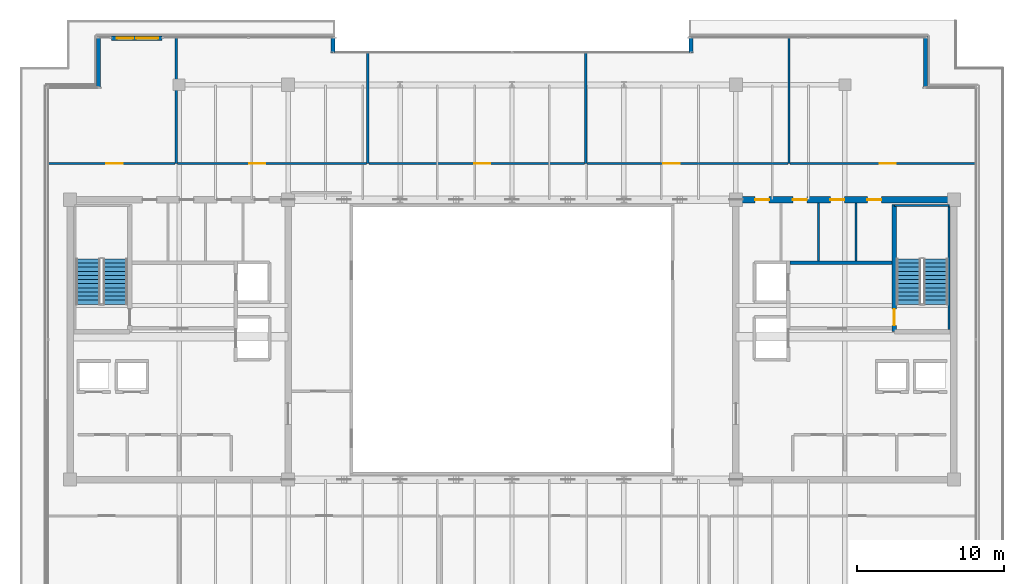
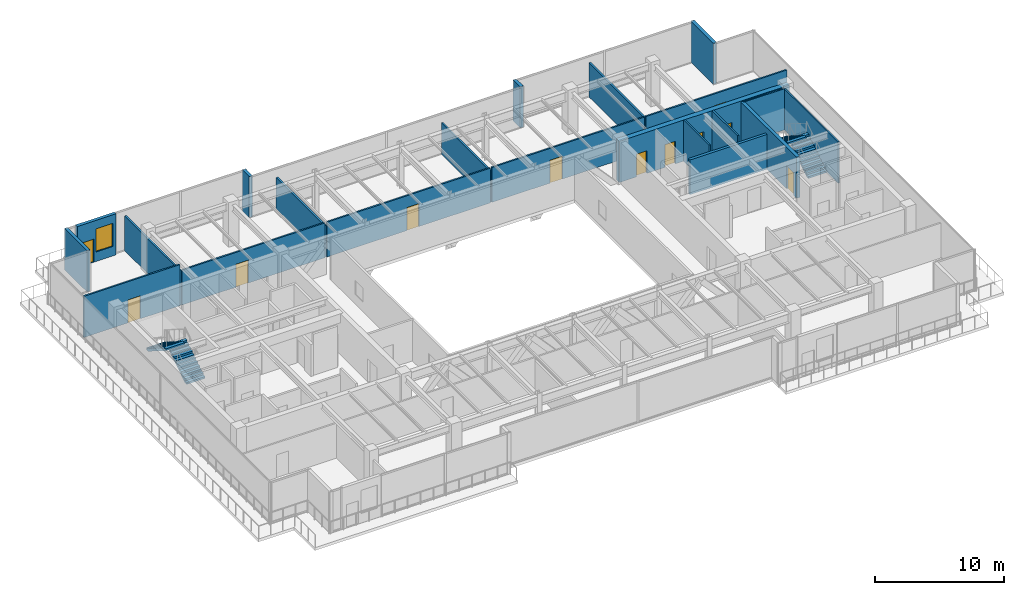
# One storey, part 29 of 34: 21 walls, 11 doors, 4 stair flights, 1 window, 12 openings, 2 elements without a shape of their own.
"""IFC4 building model written with IfcOpenShell, lengths in metres."""

from ifc_helpers import new_model, si_unit, direction, frame, frame_2d, origin, place, context, subcontext, project, spatial, polyline, rectangle, outline, extrude, source, transform, mapped, material, layer, layer_set, type_object, type_shapes, element, fill, aggregate, save


model = new_model("IFC4")

# Units and contexts
model_context = context("Model", 3, precision=1e-05, world=origin(), true_north=direction((0.0, 1.0)))
body_context = subcontext(model_context, "Body", "Model", "MODEL_VIEW")
ifc_project = project(units=[si_unit("LENGTHUNIT", "METRE"), si_unit("AREAUNIT", "SQUARE_METRE"), si_unit("VOLUMEUNIT", "CUBIC_METRE"), si_unit("PLANEANGLEUNIT", "RADIAN"), si_unit("MASSUNIT", "GRAM", prefix="KILO")], contexts=[model_context])

# Site, building, storey
site_placement = place(None, origin())
site = spatial("IfcSite", under=ifc_project, at=site_placement, CompositionType="ELEMENT")
building_placement = place(site_placement, origin())
building = spatial("IfcBuilding", under=site, at=building_placement, Name="Haelvirn Gate Laboratories", CompositionType="ELEMENT")
storey_placement = place(building_placement, frame((0.0, 0.0, 297.60009765625)))
storey = spatial("IfcBuildingStorey", under=building, at=storey_placement, Name="L71", CompositionType="ELEMENT", Elevation=297.60009765625)

# Wall, openings, door, window
ifc_material_1 = material(Name="Thermally-broken bronze aluminium rainscreen & mineral wool", Category="aluminium")
ifc_layer_1 = layer(ifc_material_1, 0.280029296875, Name="EW-TERR-280")
ifc_layer_set_1 = layer_set([ifc_layer_1], Name="Thermally-broken bronze aluminium rainscreen & mineral wool")
wall_type_1 = type_object("IfcWallType", Name="EW-TERR-280", PredefinedType="STANDARD", material=ifc_layer_set_1)
wall_1_placement = place(storey_placement, frame((10.197021484375, 44.760009765625, 0.0), z_axis=(0.0, 0.0, 1.0), x_axis=(1.0, 0.0, 0.0)))
wall_1 = element("IfcWall", 1, at=wall_1_placement, inside=storey, type_object=wall_type_1, Name="L71 Terrace Access Wall SETB-N", PredefinedType="STANDARD", context=body_context, shape_type="SweptSolid", body=[
    extrude(rectangle(XDim=3.4560546875, YDim=0.280029296875, at=frame_2d((1.72802734375, 0.0))), origin(), (0.0, 0.0, 1.0), 3.89990234375),
])
opening_1_placement = place(wall_1_placement, frame((0.3779296875, 0.0, 0.0)))
opening_1 = element("IfcOpeningElement", 2, at=opening_1_placement, cuts=wall_1, Name="Opening TD1", PredefinedType="OPENING", context=body_context, shape_type="SweptSolid", body=[
    extrude(rectangle(XDim=1.10009765625, YDim=2.199951171875, at=frame_2d((0.550048828125, 1.10009765625))), frame((0.0, 0.14990234375, 0.0), z_axis=(0.0, -1.0, 0.0), x_axis=(1.0, 0.0, 0.0)), (0.0, 0.0, 1.0), 0.300048828125),
])
opening_2_placement = place(wall_1_placement, frame((1.677978515625, 0.0, 0.89990234375)))
opening_2 = element("IfcOpeningElement", 3, at=opening_2_placement, cuts=wall_1, Name="Opening W3", PredefinedType="OPENING", context=body_context, shape_type="SweptSolid", body=[
    extrude(rectangle(XDim=1.5, YDim=2.199951171875, at=frame_2d((0.75, 1.10009765625))), frame((0.0, 0.14990234375, 0.0), z_axis=(0.0, -1.0, 0.0), x_axis=(1.0, 0.0, 0.0)), (0.0, 0.0, 1.0), 0.300048828125),
])
ifc_material_2 = material(Name="Thermally-broken bronze aluminium glazed terrace door", Category="aluminium")
door_type_1 = type_object("IfcDoorType", Name="DR-TERR-1100", OperationType="NOTDEFINED", PredefinedType="DOOR", material=ifc_material_2)
shared_shape_1 = source(origin(), body_context, "Body", "SweptSolid", [
    extrude(rectangle(XDim=1.10009765625, YDim=2.199951171875, at=frame_2d((0.550048828125, 1.10009765625))), frame((0.0, 0.02490234375, 0.0), z_axis=(0.0, -1.0, 0.0), x_axis=(1.0, 0.0, 0.0)), (0.0, 0.0, 1.0), 0.050048828125),
])
type_shapes(door_type_1, [shared_shape_1])
door_1_placement = place(opening_1_placement, origin())
door_1 = element("IfcDoor", 4, at=door_1_placement, inside=storey, type_object=door_type_1, Name="L71 Terrace Access Door SETB-N", OperationType="SINGLE_SWING_RIGHT", OverallHeight=2.199951171875, OverallWidth=1.10009765625, PredefinedType="DOOR", context=body_context, shape_type="MappedRepresentation", body=[
    mapped(shared_shape_1, transform((0.0, 0.0, 0.0), scale=1.0)),
])
fill(opening_1, door_1)
ifc_material_3 = material(Name="Bronze anodised aluminium & triple low-E glass", Category="aluminium")
window_type = type_object("IfcWindowType", Name="WIN-TERR-1600", PartitioningType="SINGLE_PANEL", PredefinedType="WINDOW", material=ifc_material_3)
shared_shape_2 = source(origin(), body_context, "Body", "SweptSolid", [
    extrude(rectangle(XDim=1.5, YDim=2.199951171875, at=frame_2d((0.75, 1.10009765625))), frame((0.0, 0.030029296875, 0.0), z_axis=(0.0, -1.0, 0.0), x_axis=(1.0, 0.0, 0.0)), (0.0, 0.0, 1.0), 0.06005859375),
])
type_shapes(window_type, [shared_shape_2])
window_placement = place(opening_2_placement, origin())
window = element("IfcWindow", 5, at=window_placement, inside=storey, type_object=window_type, Name="L71 Terrace Vision Window SETB-N", OverallHeight=2.199951171875, OverallWidth=1.5, PartitioningType="SINGLE_PANEL", PredefinedType="WINDOW", context=body_context, shape_type="MappedRepresentation", body=[
    mapped(shared_shape_2, transform((0.0, 0.0, 0.0), scale=1.0)),
])
fill(opening_2, window)

# Walls
wall_2_placement = place(storey_placement, frame((65.4599609375, 41.412109375, 0.0), z_axis=(0.0, 0.0, 1.0), x_axis=(0.0, 1.0, 0.0)))
element("IfcWall", 6, at=wall_2_placement, inside=storey, type_object=wall_type_1, Name="L71 Atrium Recess Bronze Return Wall 09", PredefinedType="STANDARD", context=body_context, shape_type="SweptSolid", body=[
    extrude(rectangle(XDim=3.48779296875, YDim=0.280029296875, at=frame_2d((1.743896484375, 0.0))), origin(), (0.0, 0.0, 1.0), 3.89990234375),
])
for number, where, z_axis, x_axis, name in (
    (7, (49.5400390625, 44.89990234375, 0.0), (0.0, 0.0, 1.0), (0.0, -1.0, 0.0), "L71 Atrium Recess Bronze Return Wall 11"),
    (8, (25.260009765625, 43.806884765625, 0.0), (0.0, 0.0, 1.0), (0.0, 1.0, 0.0), "L71 Atrium Recess Bronze Return Wall 13"),
):
    element("IfcWall", number, at=place(storey_placement, frame(where, z_axis=z_axis, x_axis=x_axis)), inside=storey, type_object=wall_type_1, Name=name, PredefinedType="STANDARD", context=body_context, shape_type="SweptSolid", body=[
        extrude(rectangle(XDim=1.093017578125, YDim=0.280029296875, at=frame_2d((0.54638671875, 0.0))), origin(), (0.0, 0.0, 1.0), 3.89990234375),
    ])
wall_3_placement = place(storey_placement, frame((9.340087890625, 44.89990234375, 0.0), z_axis=(0.0, 0.0, 1.0), x_axis=(0.0, -1.0, 0.0)))
element("IfcWall", 9, at=wall_3_placement, inside=storey, type_object=wall_type_1, Name="L71 Atrium Recess Bronze Return Wall 15", PredefinedType="STANDARD", context=body_context, shape_type="SweptSolid", body=[
    extrude(rectangle(XDim=3.48779296875, YDim=0.280029296875, at=frame_2d((1.743896484375, 0.0))), origin(), (0.0, 0.0, 1.0), 3.89990234375),
])
ifc_material_4 = material(Name="Double-layer acoustic gypsum laboratory partition", Category="gypsum")
ifc_layer_2 = layer(ifc_material_4, 0.159912109375, Name="IW-ACOUST-160")
ifc_layer_set_2 = layer_set([ifc_layer_2], Name="Double-layer acoustic gypsum laboratory partition")
wall_type_2 = type_object("IfcWallType", Name="IW-ACOUST-160", PredefinedType="PARTITIONING", material=ifc_layer_set_2)
wall_4_placement = place(storey_placement, frame((14.60009765625, 36.260009765625, 0.0), z_axis=(0.0, 0.0, 1.0), x_axis=(0.0, 1.0, 0.0)))
element("IfcWall", 10, at=wall_4_placement, inside=storey, type_object=wall_type_2, Name="L71 Interior Wall IW-L71-NDIV-01", PredefinedType="PARTITIONING", context=body_context, shape_type="SweptSolid", body=[
    extrude(rectangle(XDim=8.530029296875, YDim=0.159912109375, at=frame_2d((4.26513671875, 0.0))), origin(), (0.0, 0.0, 1.0), 3.296875),
])
for number, where, z_axis, x_axis, name in (
    (11, (27.60009765625, 36.260009765625, 0.0), (0.0, 0.0, 1.0), (0.0, 1.0, 0.0), "L71 Interior Wall IW-L71-NDIV-02"),
    (12, (42.39990234375, 36.260009765625, 0.0), (0.0, 0.0, 1.0), (0.0, 1.0, 0.0), "L71 Interior Wall IW-L71-NDIV-03"),
):
    element("IfcWall", number, at=place(storey_placement, frame(where, z_axis=z_axis, x_axis=x_axis)), inside=storey, type_object=wall_type_2, Name=name, PredefinedType="PARTITIONING", context=body_context, shape_type="SweptSolid", body=[
        extrude(rectangle(XDim=7.530029296875, YDim=0.159912109375, at=frame_2d((3.76513671875, 0.0))), origin(), (0.0, 0.0, 1.0), 2.98486328125),
    ])
wall_5_placement = place(storey_placement, frame((56.199951171875, 36.260009765625, 0.0), z_axis=(0.0, 0.0, 1.0), x_axis=(0.0, 1.0, 0.0)))
element("IfcWall", 13, at=wall_5_placement, inside=storey, type_object=wall_type_2, Name="L71 Interior Wall IW-L71-NDIV-04", PredefinedType="PARTITIONING", context=body_context, shape_type="SweptSolid", body=[
    extrude(rectangle(XDim=8.530029296875, YDim=0.159912109375, at=frame_2d((4.26513671875, 0.0))), origin(), (0.0, 0.0, 1.0), 3.23486328125),
])

# Wall, opening, door
ifc_material_5 = material(Name="Acoustic mineral-wool gypsum board partition", Category="gypsum")
ifc_layer_3 = layer(ifc_material_5, 0.139892578125, Name="IW-PART-140")
ifc_layer_set_3 = layer_set([ifc_layer_3], Name="Acoustic mineral-wool gypsum board partition")
wall_type_3 = type_object("IfcWallType", Name="IW-PART-140", PredefinedType="PARTITIONING", material=ifc_layer_set_3)
wall_6_placement = place(storey_placement, frame((5.909912109375, 36.260009765625, 0.0), z_axis=(0.0, 0.0, 1.0), x_axis=(1.0, 0.0, 0.0)))
wall_6 = element("IfcWall", 14, at=wall_6_placement, inside=storey, type_object=wall_type_3, Name="L71 Interior Wall IW-L71-NCORR-01", PredefinedType="PARTITIONING", context=body_context, shape_type="SweptSolid", body=[
    extrude(rectangle(XDim=8.610107421875, YDim=0.139892578125, at=frame_2d((4.30517578125, 0.0))), origin(), (0.0, 0.0, 1.0), 3.89990234375),
])
opening_3_placement = place(wall_6_placement, frame((3.959228515625, 0.0, 0.0)))
opening_3 = element("IfcOpeningElement", 15, at=opening_3_placement, cuts=wall_6, Name="Opening D1", PredefinedType="OPENING", context=body_context, shape_type="SweptSolid", body=[
    extrude(rectangle(XDim=1.10009765625, YDim=2.179931640625, at=frame_2d((0.550048828125, 1.08984375))), frame((0.0, 0.080078125, 0.0), z_axis=(0.0, -1.0, 0.0), x_axis=(1.0, 0.0, 0.0)), (0.0, 0.0, 1.0), 0.159912109375),
])
ifc_material_6 = material(Name="Vision-panel acoustic solid-core timber lab door", Category="wood")
door_type_2 = type_object("IfcDoorType", Name="DR-LAB-1100", OperationType="NOTDEFINED", PredefinedType="DOOR", material=ifc_material_6)
shared_shape_3 = source(origin(), body_context, "Body", "SweptSolid", [
    extrude(rectangle(XDim=1.10009765625, YDim=2.179931640625, at=frame_2d((0.550048828125, 1.08984375))), frame((0.0, 0.02490234375, 0.0), z_axis=(0.0, -1.0, 0.0), x_axis=(1.0, 0.0, 0.0)), (0.0, 0.0, 1.0), 0.050048828125),
])
type_shapes(door_type_2, [shared_shape_3])
door_2_placement = place(opening_3_placement, origin())
door_2 = element("IfcDoor", 16, at=door_2_placement, inside=storey, type_object=door_type_2, Name="L71 Colloquium Conference Room Door N1", OperationType="SINGLE_SWING_LEFT", OverallHeight=2.179931640625, OverallWidth=1.10009765625, PredefinedType="DOOR", context=body_context, shape_type="MappedRepresentation", body=[
    mapped(shared_shape_3, transform((0.0, 0.0, 0.0), scale=1.0)),
])
fill(opening_3, door_2)

wall_7_placement = place(storey_placement, frame((14.679931640625, 36.260009765625, 0.0), z_axis=(0.0, 0.0, 1.0), x_axis=(1.0, 0.0, 0.0)))
wall_7 = element("IfcWall", 17, at=wall_7_placement, inside=storey, type_object=wall_type_3, Name="L71 Interior Wall IW-L71-NCORR-02", PredefinedType="PARTITIONING", context=body_context, shape_type="SweptSolid", body=[
    extrude(rectangle(XDim=12.840087890625, YDim=0.139892578125, at=frame_2d((6.419921875, 0.0))), origin(), (0.0, 0.0, 1.0), 3.296875),
])
opening_4_placement = place(wall_7_placement, frame((4.87646484375, 0.0, 0.0)))
opening_4 = element("IfcOpeningElement", 18, at=opening_4_placement, cuts=wall_7, Name="Opening D1", PredefinedType="OPENING", context=body_context, shape_type="SweptSolid", body=[
    extrude(rectangle(XDim=1.10009765625, YDim=2.179931640625, at=frame_2d((0.550048828125, 1.08984375))), frame((0.0, 0.080078125, 0.0), z_axis=(0.0, -1.0, 0.0), x_axis=(1.0, 0.0, 0.0)), (0.0, 0.0, 1.0), 0.159912109375),
])
door_3_placement = place(opening_4_placement, origin())
door_3 = element("IfcDoor", 19, at=door_3_placement, inside=storey, type_object=door_type_2, Name="L71 Protocol Briefing Training Room Door N2", OperationType="SINGLE_SWING_RIGHT", OverallHeight=2.179931640625, OverallWidth=1.10009765625, PredefinedType="DOOR", context=body_context, shape_type="MappedRepresentation", body=[
    mapped(shared_shape_3, transform((0.0, 0.0, 0.0), scale=1.0)),
])
fill(opening_4, door_3)

wall_8_placement = place(storey_placement, frame((27.679931640625, 36.260009765625, 0.0), z_axis=(0.0, 0.0, 1.0), x_axis=(1.0, 0.0, 0.0)))
wall_8 = element("IfcWall", 20, at=wall_8_placement, inside=storey, type_object=wall_type_3, Name="L71 Interior Wall IW-L71-NCORR-03", PredefinedType="PARTITIONING", context=body_context, shape_type="SweptSolid", body=[
    extrude(rectangle(XDim=14.64013671875, YDim=0.139892578125, at=frame_2d((7.320068359375, 0.0))), origin(), (0.0, 0.0, 1.0), 3.296875),
])
opening_5_placement = place(wall_8_placement, frame((7.1552734375, 0.0, 0.0)))
opening_5 = element("IfcOpeningElement", 21, at=opening_5_placement, cuts=wall_8, Name="Opening D1", PredefinedType="OPENING", context=body_context, shape_type="SweptSolid", body=[
    extrude(rectangle(XDim=1.10009765625, YDim=2.179931640625, at=frame_2d((0.550048828125, 1.08984375))), frame((0.0, 0.080078125, 0.0), z_axis=(0.0, -1.0, 0.0), x_axis=(1.0, 0.0, 0.0)), (0.0, 0.0, 1.0), 0.159912109375),
])
door_4_placement = place(opening_5_placement, origin())
door_4 = element("IfcDoor", 22, at=door_4_placement, inside=storey, type_object=door_type_2, Name="L71 Scientific Reference Library Door N3", OperationType="SINGLE_SWING_LEFT", OverallHeight=2.179931640625, OverallWidth=1.10009765625, PredefinedType="DOOR", context=body_context, shape_type="MappedRepresentation", body=[
    mapped(shared_shape_3, transform((0.0, 0.0, 0.0), scale=1.0)),
])
fill(opening_5, door_4)

wall_9_placement = place(storey_placement, frame((42.47998046875, 36.260009765625, 0.0), z_axis=(0.0, 0.0, 1.0), x_axis=(1.0, 0.0, 0.0)))
wall_9 = element("IfcWall", 23, at=wall_9_placement, inside=storey, type_object=wall_type_3, Name="L71 Interior Wall IW-L71-NCORR-04", PredefinedType="PARTITIONING", context=body_context, shape_type="SweptSolid", body=[
    extrude(rectangle(XDim=13.64013671875, YDim=0.139892578125, at=frame_2d((6.820068359375, 0.0))), origin(), (0.0, 0.0, 1.0), 3.296875),
])
opening_6_placement = place(wall_9_placement, frame((5.204345703125, 0.0, 0.0)))
opening_6 = element("IfcOpeningElement", 24, at=opening_6_placement, cuts=wall_9, Name="Opening D1", PredefinedType="OPENING", context=body_context, shape_type="SweptSolid", body=[
    extrude(rectangle(XDim=1.10009765625, YDim=2.179931640625, at=frame_2d((0.550048828125, 1.08984375))), frame((0.0, 0.080078125, 0.0), z_axis=(0.0, -1.0, 0.0), x_axis=(1.0, 0.0, 0.0)), (0.0, 0.0, 1.0), 0.159912109375),
])
door_5_placement = place(opening_6_placement, origin())
door_5 = element("IfcDoor", 25, at=door_5_placement, inside=storey, type_object=door_type_2, Name="L71 Instrumentation Prototyping Workshop Door N4", OperationType="SINGLE_SWING_RIGHT", OverallHeight=2.179931640625, OverallWidth=1.10009765625, PredefinedType="DOOR", context=body_context, shape_type="MappedRepresentation", body=[
    mapped(shared_shape_3, transform((0.0, 0.0, 0.0), scale=1.0)),
])
fill(opening_6, door_5)

wall_10_placement = place(storey_placement, frame((56.280029296875, 36.260009765625, 0.0), z_axis=(0.0, 0.0, 1.0), x_axis=(1.0, 0.0, 0.0)))
wall_10 = element("IfcWall", 26, at=wall_10_placement, inside=storey, type_object=wall_type_3, Name="L71 Interior Wall IW-L71-NCORR-05", PredefinedType="PARTITIONING", context=body_context, shape_type="SweptSolid", body=[
    extrude(rectangle(XDim=12.60986328125, YDim=0.139892578125, at=frame_2d((6.304931640625, 0.0))), origin(), (0.0, 0.0, 1.0), 3.296875),
])
opening_7_placement = place(wall_10_placement, frame((6.079345703125, 0.0, 0.0)))
opening_7 = element("IfcOpeningElement", 27, at=opening_7_placement, cuts=wall_10, Name="Opening D1", PredefinedType="OPENING", context=body_context, shape_type="SweptSolid", body=[
    extrude(rectangle(XDim=1.10009765625, YDim=2.179931640625, at=frame_2d((0.550048828125, 1.08984375))), frame((0.0, 0.080078125, 0.0), z_axis=(0.0, -1.0, 0.0), x_axis=(1.0, 0.0, 0.0)), (0.0, 0.0, 1.0), 0.159912109375),
])
door_6_placement = place(opening_7_placement, origin())
door_6 = element("IfcDoor", 28, at=door_6_placement, inside=storey, type_object=door_type_2, Name="L71 Researcher Break Pantry Door N5", OperationType="SINGLE_SWING_LEFT", OverallHeight=2.179931640625, OverallWidth=1.10009765625, PredefinedType="DOOR", context=body_context, shape_type="MappedRepresentation", body=[
    mapped(shared_shape_3, transform((0.0, 0.0, 0.0), scale=1.0)),
])
fill(opening_7, door_6)

# Walls
ifc_material_7 = material(Name="Cement-board restroom plumbing chase wall", Category="gypsum")
ifc_layer_4 = layer(ifc_material_7, 0.155029296875, Name="IW-PLUMB-160")
ifc_layer_set_4 = layer_set([ifc_layer_4], Name="Cement-board restroom plumbing chase wall")
wall_type_4 = type_object("IfcWallType", Name="IW-PLUMB-160", PredefinedType="PLUMBINGWALL", material=ifc_layer_set_4)
for number, where, z_axis, x_axis, name in (
    (29, (60.760009765625, 29.64990234375, 0.0), (0.0, 0.0, 1.0), (0.0, 1.0, 0.0), "L71 Interior Wall IW-L71-E-CDIV-1"),
    (30, (58.2099609375, 29.64990234375, 0.0), (0.0, 0.0, 1.0), (0.0, 1.0, 0.0), "L71 Interior Wall IW-L71-E-CDIV-2"),
):
    element("IfcWall", number, at=place(storey_placement, frame(where, z_axis=z_axis, x_axis=x_axis)), inside=storey, type_object=wall_type_4, Name=name, PredefinedType="PLUMBINGWALL", context=body_context, shape_type="SweptSolid", body=[
        extrude(rectangle(XDim=3.93017578125, YDim=0.155029296875, at=frame_2d((1.965087890625, 0.0))), origin(), (0.0, 0.0, 1.0), 3.89990234375),
    ])
ifc_material_8 = material(Name="Concrete C40/50", Category="concrete")
ifc_layer_5 = layer(ifc_material_8, 0.239990234375, Name="IW-SHAFT-240")
ifc_layer_set_5 = layer_set([ifc_layer_5], Name="Concrete C40/50")
wall_type_5 = type_object("IfcWallType", Name="IW-SHAFT-240", PredefinedType="SOLIDWALL", material=ifc_layer_set_5)
wall_11_placement = place(storey_placement, frame((56.280029296875, 29.52001953125, 0.0), z_axis=(0.0, 0.0, 1.0), x_axis=(1.0, 0.0, 0.0)))
element("IfcWall", 31, at=wall_11_placement, inside=storey, type_object=wall_type_5, Name="L71 Interior Wall IW-L71-E-FF-N", PredefinedType="SOLIDWALL", context=body_context, shape_type="SweptSolid", body=[
    extrude(rectangle(XDim=6.919921875, YDim=0.239990234375, at=frame_2d((3.4599609375, 0.0))), origin(), (0.0, 0.0, 1.0), 3.296875),
])

# Wall, openings, doors
ifc_material_9 = material(Name="Concrete C50/60", Category="concrete")
ifc_layer_6 = layer(ifc_material_9, 0.449951171875, Name="SW-CORE-450")
ifc_layer_set_6 = layer_set([ifc_layer_6], Name="Concrete C50/60")
wall_type_6 = type_object("IfcWallType", Name="SW-CORE-450", PredefinedType="SHEAR", material=ifc_layer_set_6)
wall_12_placement = place(storey_placement, frame((52.375, 33.800048828125, 0.0), z_axis=(0.0, 0.0, 1.0), x_axis=(1.0, 0.0, 0.0)))
wall_12 = element("IfcWall", 32, at=wall_12_placement, inside=storey, type_object=wall_type_6, Name="L71 E Core Shear Wall N", PredefinedType="SHEAR", context=body_context, shape_type="SweptSolid", body=[
    extrude(rectangle(XDim=15.25, YDim=0.449951171875, at=frame_2d((7.625, 0.0))), origin(), (0.0, 0.0, 1.0), 3.89990234375),
])
opening_8_placement = place(wall_12_placement, frame((9.14990234375, 0.0, 0.0)))
opening_8 = element("IfcOpeningElement", 33, at=opening_8_placement, cuts=wall_12, Name="Opening FD4", PredefinedType="OPENING", context=body_context, shape_type="SweptSolid", body=[
    extrude(rectangle(XDim=0.949951171875, YDim=2.14990234375, at=frame_2d((0.47509765625, 1.074951171875))), frame((0.0, 0.23486328125, 0.0), z_axis=(0.0, -1.0, 0.0), x_axis=(1.0, 0.0, 0.0)), (0.0, 0.0, 1.0), 0.469970703125),
])
opening_9_placement = place(wall_12_placement, frame((6.635009765625, 0.0, 0.0)))
opening_9 = element("IfcOpeningElement", 34, at=opening_9_placement, cuts=wall_12, Name="Opening FD4", PredefinedType="OPENING", context=body_context, shape_type="SweptSolid", body=[
    extrude(rectangle(XDim=0.949951171875, YDim=2.14990234375, at=frame_2d((0.47509765625, 1.074951171875))), frame((0.0, 0.23486328125, 0.0), z_axis=(0.0, -1.0, 0.0), x_axis=(1.0, 0.0, 0.0)), (0.0, 0.0, 1.0), 0.469970703125),
])
opening_10_placement = place(wall_12_placement, frame((4.0849609375, 0.0, 0.0)))
opening_10 = element("IfcOpeningElement", 35, at=opening_10_placement, cuts=wall_12, Name="Opening FD4", PredefinedType="OPENING", context=body_context, shape_type="SweptSolid", body=[
    extrude(rectangle(XDim=0.949951171875, YDim=2.14990234375, at=frame_2d((0.47509765625, 1.074951171875))), frame((0.0, 0.23486328125, 0.0), z_axis=(0.0, -1.0, 0.0), x_axis=(1.0, 0.0, 0.0)), (0.0, 0.0, 1.0), 0.469970703125),
])
opening_11_placement = place(wall_12_placement, frame((1.534912109375, 0.0, 0.0)))
opening_11 = element("IfcOpeningElement", 36, at=opening_11_placement, cuts=wall_12, Name="Opening FD4", PredefinedType="OPENING", context=body_context, shape_type="SweptSolid", body=[
    extrude(rectangle(XDim=0.949951171875, YDim=2.14990234375, at=frame_2d((0.47509765625, 1.074951171875))), frame((0.0, 0.23486328125, 0.0), z_axis=(0.0, -1.0, 0.0), x_axis=(1.0, 0.0, 0.0)), (0.0, 0.0, 1.0), 0.469970703125),
])
ifc_material_10 = material(Name="Fire-rated steel SM355 core service door", Category="steel")
door_type_3 = type_object("IfcDoorType", Name="DR-FD-950", OperationType="NOTDEFINED", PredefinedType="DOOR", material=ifc_material_10)
shared_shape_4 = source(origin(), body_context, "Body", "SweptSolid", [
    extrude(rectangle(XDim=0.949951171875, YDim=2.14990234375, at=frame_2d((0.47509765625, 1.074951171875))), frame((0.0, 0.02490234375, 0.0), z_axis=(0.0, -1.0, 0.0), x_axis=(1.0, 0.0, 0.0)), (0.0, 0.0, 1.0), 0.050048828125),
])
type_shapes(door_type_3, [shared_shape_4])
door_7_placement = place(opening_8_placement, origin())
door_7 = element("IfcDoor", 37, at=door_7_placement, inside=storey, type_object=door_type_3, Name="L71 Male Restroom Fire Door", OperationType="SINGLE_SWING_RIGHT", OverallHeight=2.14990234375, OverallWidth=0.949951171875, PredefinedType="DOOR", context=body_context, shape_type="MappedRepresentation", body=[
    mapped(shared_shape_4, transform((0.0, 0.0, 0.0), scale=1.0)),
])
fill(opening_8, door_7)
door_8_placement = place(opening_9_placement, origin())
door_8 = element("IfcDoor", 38, at=door_8_placement, inside=storey, type_object=door_type_3, Name="L71 Female Restroom Fire Door", OperationType="SINGLE_SWING_LEFT", OverallHeight=2.14990234375, OverallWidth=0.949951171875, PredefinedType="DOOR", context=body_context, shape_type="MappedRepresentation", body=[
    mapped(shared_shape_4, transform((0.0, 0.0, 0.0), scale=1.0)),
])
fill(opening_9, door_8)
door_9_placement = place(opening_10_placement, origin())
door_9 = element("IfcDoor", 39, at=door_9_placement, inside=storey, type_object=door_type_3, Name="L71 Accessible Restroom Fire Door", OperationType="SINGLE_SWING_RIGHT", OverallHeight=2.14990234375, OverallWidth=0.949951171875, PredefinedType="DOOR", context=body_context, shape_type="MappedRepresentation", body=[
    mapped(shared_shape_4, transform((0.0, 0.0, 0.0), scale=1.0)),
])
fill(opening_10, door_9)
door_10_placement = place(opening_11_placement, origin())
door_10 = element("IfcDoor", 40, at=door_10_placement, inside=storey, type_object=door_type_3, Name="L71 Decontamination Shower Washroom Fire Door", OperationType="SINGLE_SWING_LEFT", OverallHeight=2.14990234375, OverallWidth=0.949951171875, PredefinedType="DOOR", context=body_context, shape_type="MappedRepresentation", body=[
    mapped(shared_shape_4, transform((0.0, 0.0, 0.0), scale=1.0)),
])
fill(opening_11, door_10)

# Walls
ifc_layer_7 = layer(ifc_material_9, 0.1201171875, Name="SW-LINER-120")
ifc_layer_set_7 = layer_set([ifc_layer_7], Name="Concrete C50/60")
wall_type_7 = type_object("IfcWallType", Name="SW-LINER-120", PredefinedType="SOLIDWALL", material=ifc_layer_set_7)
wall_13_placement = place(storey_placement, frame((63.35009765625, 33.39990234375, 0.0), z_axis=(0.0, 0.0, 1.0), x_axis=(1.0, 0.0, 0.0)))
element("IfcWall", 41, at=wall_13_placement, inside=storey, type_object=wall_type_7, Name="L71 E Core Stair Shaft Liner Wall N", PredefinedType="SOLIDWALL", context=body_context, shape_type="SweptSolid", body=[
    extrude(rectangle(XDim=3.719970703125, YDim=0.1201171875, at=frame_2d((1.85986328125, 0.0))), origin(), (0.0, 0.0, 1.0), 3.89990234375),
])
wall_14_placement = place(storey_placement, frame((67.070068359375, 25.0, 0.0), z_axis=(0.0, 0.0, 1.0), x_axis=(0.0, 1.0, 0.0)))
element("IfcWall", 42, at=wall_14_placement, inside=storey, type_object=wall_type_7, Name="L71 E Core Stair Shaft Liner Wall OUT", PredefinedType="SOLIDWALL", context=body_context, shape_type="SweptSolid", body=[
    extrude(rectangle(XDim=8.320068359375, YDim=0.1201171875, at=frame_2d((4.16015625, 0.0))), origin(), (0.0, 0.0, 1.0), 3.89990234375),
])

# Wall, opening, door
ifc_layer_8 = layer(ifc_material_9, 0.300048828125, Name="SW-STAIR-300")
ifc_layer_set_8 = layer_set([ifc_layer_8], Name="Concrete C50/60")
wall_type_8 = type_object("IfcWallType", Name="SW-STAIR-300", PredefinedType="SHEAR", material=ifc_layer_set_8)
wall_15_placement = place(storey_placement, frame((63.35009765625, 24.85009765625, 0.0), z_axis=(0.0, 0.0, 1.0), x_axis=(0.0, 1.0, 0.0)))
wall_15 = element("IfcWall", 43, at=wall_15_placement, inside=storey, type_object=wall_type_8, Name="L71 E Core Stair Shaft Structural Wall IN", PredefinedType="SHEAR", context=body_context, shape_type="SweptSolid", body=[
    extrude(rectangle(XDim=8.6298828125, YDim=0.300048828125, at=frame_2d((4.31494140625, 0.0))), origin(), (0.0, 0.0, 1.0), 3.89990234375),
])
opening_12_placement = place(wall_15_placement, frame((0.419921875, 0.0, 0.0)))
opening_12 = element("IfcOpeningElement", 44, at=opening_12_placement, cuts=wall_15, Name="Opening FD3", PredefinedType="OPENING", context=body_context, shape_type="SweptSolid", body=[
    extrude(rectangle(XDim=1.10009765625, YDim=2.14990234375, at=frame_2d((0.550048828125, 1.074951171875))), frame((0.0, 0.16015625, 0.0), z_axis=(0.0, -1.0, 0.0), x_axis=(1.0, 0.0, 0.0)), (0.0, 0.0, 1.0), 0.320068359375),
])
ifc_material_11 = material(Name="Fire-rated steel SM355 escape stair door", Category="steel")
door_type_4 = type_object("IfcDoorType", Name="DR-FD-1100", OperationType="NOTDEFINED", PredefinedType="DOOR", material=ifc_material_11)
shared_shape_5 = source(origin(), body_context, "Body", "SweptSolid", [
    extrude(rectangle(XDim=1.10009765625, YDim=2.14990234375, at=frame_2d((0.550048828125, 1.074951171875))), frame((0.0, 0.02490234375, 0.0), z_axis=(0.0, -1.0, 0.0), x_axis=(1.0, 0.0, 0.0)), (0.0, 0.0, 1.0), 0.050048828125),
])
type_shapes(door_type_4, [shared_shape_5])
door_11_placement = place(opening_12_placement, origin())
door_11 = element("IfcDoor", 45, at=door_11_placement, inside=storey, type_object=door_type_4, Name="L71 Escape Stair ST2 Fire Door", OperationType="SINGLE_SWING_RIGHT", OverallHeight=2.14990234375, OverallWidth=1.10009765625, PredefinedType="DOOR", context=body_context, shape_type="MappedRepresentation", body=[
    mapped(shared_shape_5, transform((0.0, 0.0, 0.0), scale=1.0)),
])
fill(opening_12, door_11)

# Stair, stair flights
stair_type = type_object("IfcStairType", Name="ST-DOG-1650-R24", PredefinedType="HALF_TURN_STAIR", material=ifc_material_8)
stair_1_placement = place(storey_placement, origin())
stair_1 = element("IfcStair", 46, at=stair_1_placement, inside=storey, type_object=stair_type, Name="L71 Escape Stair ST1", PredefinedType="HALF_TURN_STAIR")
stair_flight_type = type_object("IfcStairFlightType", Name="STF-1650-R12", PredefinedType="STRAIGHT", material=ifc_material_8)
shared_shape_6 = source(origin(), body_context, "Body", "SweptSolid", [
    extrude(outline(polyline([(0.0, 0.0), (0.0, 0.175048828125), (0.280029296875, 0.175048828125), (0.280029296875, 0.35009765625), (0.56005859375, 0.35009765625), (0.56005859375, 0.52490234375), (0.840087890625, 0.52490234375), (0.840087890625, 0.699951171875), (1.1201171875, 0.699951171875), (1.1201171875, 0.875), (1.39990234375, 0.875), (1.39990234375, 1.050048828125), (1.679931640625, 1.050048828125), (1.679931640625, 1.22509765625), (1.9599609375, 1.22509765625), (1.9599609375, 1.39990234375), (2.239990234375, 1.39990234375), (2.239990234375, 1.574951171875), (2.52001953125, 1.574951171875), (2.52001953125, 1.75), (2.800048828125, 1.75), (2.800048828125, 1.925048828125), (3.080078125, 1.925048828125), (3.080078125, 2.10009765625), (3.080078125, 1.736328125), (0.3017578125, 0.0), (0.0, 0.0)])), frame((0.0, 0.824951171875, 0.0), z_axis=(0.0, -1.0, 0.0), x_axis=(1.0, 0.0, 0.0)), (0.0, 0.0, 1.0), 1.64990234375),
])
type_shapes(stair_flight_type, [shared_shape_6])
stair_flight_1_placement = place(storey_placement, frame((10.47509765625, 26.699951171875, 0.0), z_axis=(0.0, 0.0, 1.0), x_axis=(0.0, 1.0, 0.0)))
stair_flight_1 = element("IfcStairFlight", 47, at=stair_flight_1_placement, type_object=stair_flight_type, Name="ST1 flight 1", NumberOfRisers=12, NumberOfTreads=11, PredefinedType="STRAIGHT", RiserHeight=0.175, TreadLength=0.28, context=body_context, shape_type="MappedRepresentation", body=[
    mapped(shared_shape_6, transform((0.0, 0.0, 0.0), scale=1.0)),
])
stair_flight_2_placement = place(storey_placement, frame((8.625, 29.780029296875, 2.099853515625), z_axis=(0.0, 0.0, 1.0), x_axis=(0.0, -1.0, 0.0)))
stair_flight_2 = element("IfcStairFlight", 48, at=stair_flight_2_placement, type_object=stair_flight_type, Name="ST1 flight 2", NumberOfRisers=12, NumberOfTreads=11, PredefinedType="STRAIGHT", RiserHeight=0.175, TreadLength=0.28, context=body_context, shape_type="MappedRepresentation", body=[
    mapped(shared_shape_6, transform((0.0, 0.0, 0.0), scale=1.0)),
])
aggregate(stair_1, [stair_flight_1, stair_flight_2])

stair_2_placement = place(storey_placement, origin())
stair_2 = element("IfcStair", 49, at=stair_2_placement, inside=storey, type_object=stair_type, Name="L71 Escape Stair ST2", PredefinedType="HALF_TURN_STAIR")
stair_flight_3_placement = place(storey_placement, frame((66.175048828125, 26.699951171875, 0.0), z_axis=(0.0, 0.0, 1.0), x_axis=(0.0, 1.0, 0.0)))
stair_flight_3 = element("IfcStairFlight", 50, at=stair_flight_3_placement, type_object=stair_flight_type, Name="ST2 flight 1", NumberOfRisers=12, NumberOfTreads=11, PredefinedType="STRAIGHT", RiserHeight=0.175, TreadLength=0.28, context=body_context, shape_type="MappedRepresentation", body=[
    mapped(shared_shape_6, transform((0.0, 0.0, 0.0), scale=1.0)),
])
stair_flight_4_placement = place(storey_placement, frame((64.324951171875, 29.780029296875, 2.099853515625), z_axis=(0.0, 0.0, 1.0), x_axis=(0.0, -1.0, 0.0)))
stair_flight_4 = element("IfcStairFlight", 51, at=stair_flight_4_placement, type_object=stair_flight_type, Name="ST2 flight 2", NumberOfRisers=12, NumberOfTreads=11, PredefinedType="STRAIGHT", RiserHeight=0.175, TreadLength=0.28, context=body_context, shape_type="MappedRepresentation", body=[
    mapped(shared_shape_6, transform((0.0, 0.0, 0.0), scale=1.0)),
])
aggregate(stair_2, [stair_flight_3, stair_flight_4])

save(model, "model.ifc")
